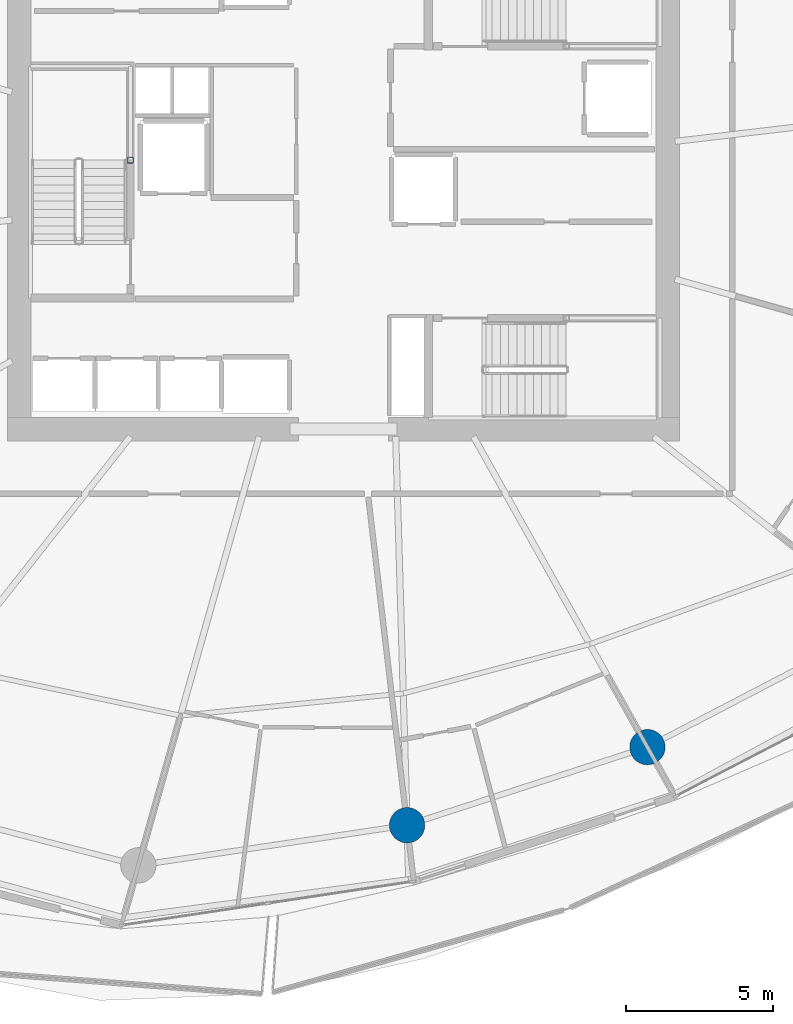
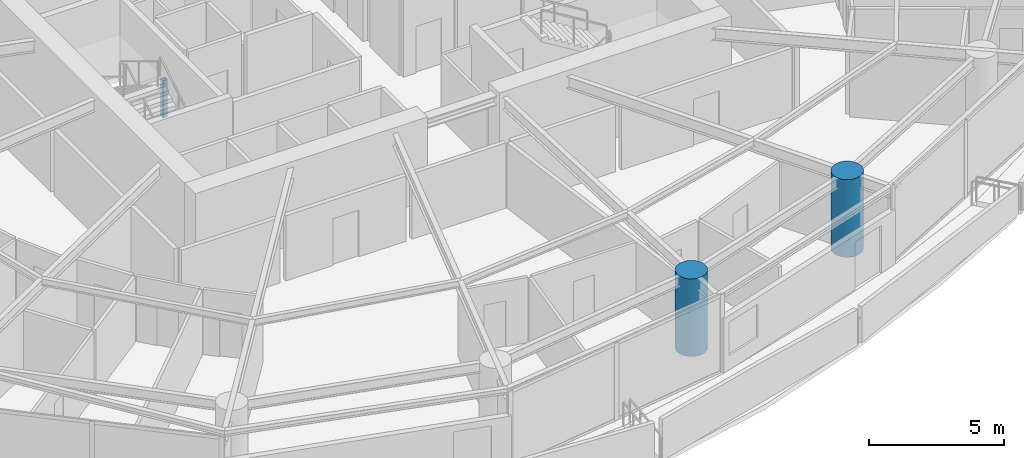
# One storey, part 2 of 23: 3 columns.
"""IFC4 building model written with IfcOpenShell, lengths in metres."""

from ifc_helpers import new_model, si_unit, direction, frame, origin, origin_2d, place, context, subcontext, project, spatial, hollow_rectangle, circle, extrude, material, material_profile, profile_set, type_object, element, save


model = new_model("IFC4")

# Units and contexts
model_context = context("Model", 3, precision=1e-05, world=origin(), true_north=direction((0.0, 1.0)))
body_context = subcontext(model_context, "Body", "Model", "MODEL_VIEW")
ifc_project = project(units=[si_unit("LENGTHUNIT", "METRE"), si_unit("AREAUNIT", "SQUARE_METRE"), si_unit("VOLUMEUNIT", "CUBIC_METRE"), si_unit("PLANEANGLEUNIT", "RADIAN"), si_unit("MASSUNIT", "GRAM", prefix="KILO")], contexts=[model_context])

# Site, building, storey
site_placement = place(None, origin())
site = spatial("IfcSite", under=ifc_project, at=site_placement, CompositionType="ELEMENT")
building_placement = place(site_placement, origin())
building = spatial("IfcBuilding", under=site, at=building_placement, Name="Kazma Halo Residences", CompositionType="ELEMENT")
storey_placement = place(building_placement, frame((0.0, 0.0, 78.89990234375)))
storey = spatial("IfcBuildingStorey", under=building, at=storey_placement, Name="L19", CompositionType="ELEMENT", Elevation=78.89990234375)

# Columns
ifc_material_1 = material(Name="Steel S355", Category="steel")
ifc_material_profile_1 = material_profile(ifc_material_1, hollow_rectangle(XDim=0.199951171875, YDim=0.199951171875, WallThickness=0.010009765625, InnerFilletRadius=0.010009765625, OuterFilletRadius=0.02001953125, at=origin_2d()), Name="SHS200x200x10")
ifc_profile_set_1 = profile_set([ifc_material_profile_1], Name="Steel S355")
column_type_1 = type_object("IfcColumnType", Name="COL-LP-SHS200", PredefinedType="COLUMN", material=ifc_profile_set_1)
column_placement = place(storey_placement, frame((41.179931640625, 42.75, 0.0), z_axis=(0.0, 0.0, 1.0), x_axis=(1.0, 0.0, 0.0)))
element("IfcColumn", 1, at=column_placement, inside=storey, type_object=column_type_1, Name="L19 ST-01 landing pilaster 1", PredefinedType="COLUMN", context=body_context, shape_type="SweptSolid", body=[
    extrude(hollow_rectangle(XDim=0.199951171875, YDim=0.199951171875, WallThickness=0.010009765625, InnerFilletRadius=0.010009765625, OuterFilletRadius=0.02001953125, at=origin_2d()), origin(), (0.0, 0.0, 1.0), 1.670166015625),
])
ifc_material_2 = material(Name="Concrete C80/95", Category="concrete")
ifc_material_profile_2 = material_profile(ifc_material_2, circle(Radius=0.60009765625, at=origin_2d()), Name="CIRC1200")
ifc_profile_set_2 = profile_set([ifc_material_profile_2], Name="Concrete C80/95")
column_type_2 = type_object("IfcColumnType", Name="COL-PERIM-1200", PredefinedType="COLUMN", material=ifc_profile_set_2)
for number, where, z_axis, x_axis, name in (
    (2, (50.58837890625, 20.130859375, 0.0), (0.0, 0.0, 1.0), (1.0, 0.0, 0.0), "L19 perimeter ring column P12"),
    (3, (58.76025390625, 22.7861328125, 0.0), (0.0, 0.0, 1.0), (1.0, 0.0, 0.0), "L19 perimeter ring column P13"),
):
    element("IfcColumn", number, at=place(storey_placement, frame(where, z_axis=z_axis, x_axis=x_axis)), inside=storey, type_object=column_type_2, Name=name, PredefinedType="COLUMN", context=body_context, shape_type="SweptSolid", body=[
        extrude(circle(Radius=0.60009765625, at=origin_2d()), origin(), (0.0, 0.0, 1.0), 3.5),
    ])

save(model, "model.ifc")
